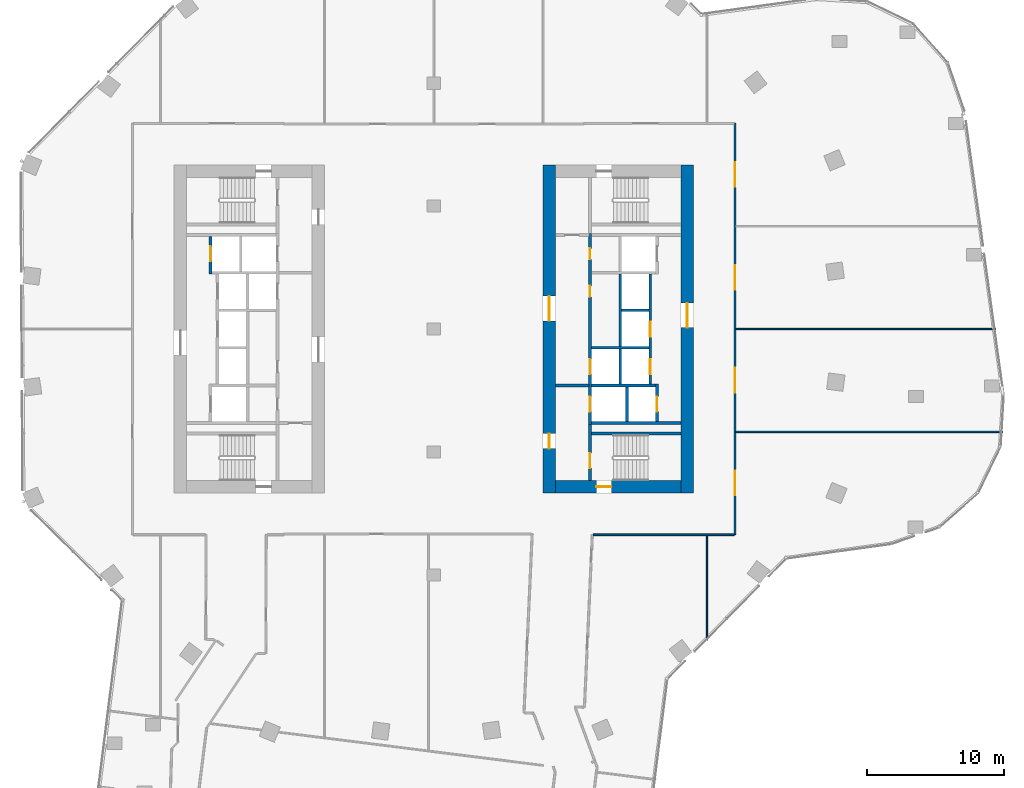
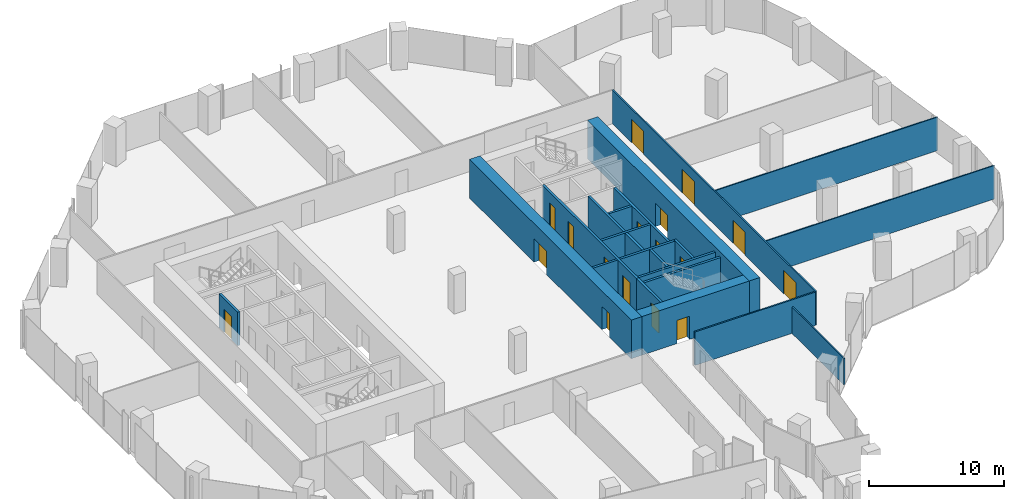
# One storey, part 21 of 27: 22 walls, 17 doors, 17 openings.
"""IFC4 building model written with IfcOpenShell, lengths in metres."""

from ifc_helpers import new_model, si_unit, direction, frame, frame_2d, origin, place, context, subcontext, project, spatial, rectangle, extrude, material, layer, layer_set, type_object, element, fill, save


model = new_model("IFC4")

# Units and contexts
model_context = context("Model", 3, precision=1e-05, world=origin(), true_north=direction((0.0, 1.0)))
body_context = subcontext(model_context, "Body", "Model", "MODEL_VIEW")
ifc_project = project(units=[si_unit("LENGTHUNIT", "METRE"), si_unit("AREAUNIT", "SQUARE_METRE"), si_unit("VOLUMEUNIT", "CUBIC_METRE"), si_unit("PLANEANGLEUNIT", "RADIAN"), si_unit("MASSUNIT", "GRAM", prefix="KILO")], contexts=[model_context])

# Site, building, storey
site_placement = place(None, origin())
site = spatial("IfcSite", under=ifc_project, at=site_placement, CompositionType="ELEMENT")
building_placement = place(site_placement, origin())
building = spatial("IfcBuilding", under=site, at=building_placement, Name="Orlundy Tower", CompositionType="ELEMENT")
storey_placement = place(building_placement, frame((0.0, 0.0, 202.60009765625)))
storey = spatial("IfcBuildingStorey", under=building, at=storey_placement, Name="L53", CompositionType="ELEMENT", Elevation=202.60009765625)

# Wall, opening, door
ifc_material_1 = material(Name="Concrete C70/85", Category="concrete")
ifc_layer_1 = layer(ifc_material_1, 0.89990234375)
ifc_layer_set_1 = layer_set([ifc_layer_1], Name="CORE WALL 900 C70/85")
wall_type_1 = type_object("IfcWallType", Name="CORE WALL 900 C70/85", PredefinedType="SHEAR", material=ifc_layer_set_1)
wall_1_placement = place(storey_placement, frame((8.89990234375, -11.550048828125, 0.0), z_axis=(0.0, 0.0, 1.0), x_axis=(1.0, 0.0, 0.0)))
wall_1 = element("IfcWall", 1, at=wall_1_placement, inside=storey, type_object=wall_type_1, Name="Core wall E-S L53", PredefinedType="SHEAR", context=body_context, shape_type="SweptSolid", body=[
    extrude(rectangle(XDim=9.2001953125, YDim=0.89990234375, at=frame_2d((4.60009765625, 0.0))), origin(), (0.0, 0.0, 1.0), 3.5),
])
opening_1_placement = place(wall_1_placement, frame((3.0, 0.0, 0.0)))
opening_1 = element("IfcOpeningElement", 2, at=opening_1_placement, cuts=wall_1, Name="Opening 40061", PredefinedType="OPENING", context=body_context, shape_type="SweptSolid", body=[
    extrude(rectangle(XDim=1.10009765625, YDim=2.10009765625, at=frame_2d((0.550048828125, 1.050048828125))), frame((0.0, 0.4599609375, 0.0), z_axis=(0.0, -1.0, 0.0), x_axis=(1.0, 0.0, 0.0)), (0.0, 0.0, 1.0), 0.919921875),
])
ifc_material_2 = material(Name="Steel door set", Category="steel")
door_type_1 = type_object("IfcDoorType", Name="Stair Door 1100x2100", OperationType="SINGLE_SWING_LEFT", PredefinedType="DOOR", material=ifc_material_2)
door_1_placement = place(opening_1_placement, origin())
door_1 = element("IfcDoor", 3, at=door_1_placement, inside=storey, type_object=door_type_1, Name="Stair door 40061", OperationType="SINGLE_SWING_LEFT", OverallHeight=2.10009765625, OverallWidth=1.10009765625, PredefinedType="DOOR", context=body_context, shape_type="SweptSolid", body=[
    extrude(rectangle(XDim=1.10009765625, YDim=2.10009765625, at=frame_2d((0.550048828125, 1.050048828125))), frame((0.0, 0.02490234375, 0.0), z_axis=(0.0, -1.0, 0.0), x_axis=(1.0, 0.0, 0.0)), (0.0, 0.0, 1.0), 0.050048828125),
])
fill(opening_1, door_1)

# Wall, openings, doors
wall_2_placement = place(storey_placement, frame((8.449951171875, -12.0, 0.0), z_axis=(0.0, 0.0, 1.0), x_axis=(0.0, 1.0, 0.0)))
wall_2 = element("IfcWall", 4, at=wall_2_placement, inside=storey, type_object=wall_type_1, Name="Core wall E-W L53", PredefinedType="SHEAR", context=body_context, shape_type="SweptSolid", body=[
    extrude(rectangle(XDim=24.0, YDim=0.89990234375, at=frame_2d((12.0, 0.0))), origin(), (0.0, 0.0, 1.0), 3.5),
])
opening_2_placement = place(wall_2_placement, frame((12.60009765625, 0.0, 0.0)))
opening_2 = element("IfcOpeningElement", 5, at=opening_2_placement, cuts=wall_2, Name="Opening 40058", PredefinedType="OPENING", context=body_context, shape_type="SweptSolid", body=[
    extrude(rectangle(XDim=1.800048828125, YDim=2.10009765625, at=frame_2d((0.89990234375, 1.050048828125))), frame((0.0, 0.4599609375, 0.0), z_axis=(0.0, -1.0, 0.0), x_axis=(1.0, 0.0, 0.0)), (0.0, 0.0, 1.0), 0.919921875),
])
opening_3_placement = place(wall_2_placement, frame((3.25, 0.0, 0.0)))
opening_3 = element("IfcOpeningElement", 6, at=opening_3_placement, cuts=wall_2, Name="Opening 40060", PredefinedType="OPENING", context=body_context, shape_type="SweptSolid", body=[
    extrude(rectangle(XDim=1.10009765625, YDim=2.10009765625, at=frame_2d((0.550048828125, 1.050048828125))), frame((0.0, 0.4599609375, 0.0), z_axis=(0.0, -1.0, 0.0), x_axis=(1.0, 0.0, 0.0)), (0.0, 0.0, 1.0), 0.919921875),
])
ifc_material_3 = material(Name="Steel door set", Category="steel")
door_type_2 = type_object("IfcDoorType", Name="Fire-fighting Lobby Door 1100x2100", OperationType="SINGLE_SWING_LEFT", PredefinedType="DOOR", material=ifc_material_3)
door_2_placement = place(opening_3_placement, origin())
door_2 = element("IfcDoor", 7, at=door_2_placement, inside=storey, type_object=door_type_2, Name="Fire-fighting lobby door 40060", OperationType="SINGLE_SWING_LEFT", OverallHeight=2.10009765625, OverallWidth=1.10009765625, PredefinedType="DOOR", context=body_context, shape_type="SweptSolid", body=[
    extrude(rectangle(XDim=1.10009765625, YDim=2.10009765625, at=frame_2d((0.550048828125, 1.050048828125))), frame((0.0, 0.02490234375, 0.0), z_axis=(0.0, -1.0, 0.0), x_axis=(1.0, 0.0, 0.0)), (0.0, 0.0, 1.0), 0.050048828125),
])
fill(opening_3, door_2)
ifc_material_4 = material(Name="Timber door set", Category="wood")
door_type_3 = type_object("IfcDoorType", Name="Lobby Door 1800x2100", OperationType="DOUBLE_DOOR_DOUBLE_SWING", PredefinedType="DOOR", material=ifc_material_4)
door_3_placement = place(opening_2_placement, origin())
door_3 = element("IfcDoor", 8, at=door_3_placement, inside=storey, type_object=door_type_3, Name="Lift lobby door 40058", OperationType="SINGLE_SWING_RIGHT", OverallHeight=2.10009765625, OverallWidth=1.800048828125, PredefinedType="DOOR", context=body_context, shape_type="SweptSolid", body=[
    extrude(rectangle(XDim=1.800048828125, YDim=2.10009765625, at=frame_2d((0.89990234375, 1.050048828125))), frame((0.0, 0.02490234375, 0.0), z_axis=(0.0, -1.0, 0.0), x_axis=(1.0, 0.0, 0.0)), (0.0, 0.0, 1.0), 0.050048828125),
])
fill(opening_2, door_3)

# Wall, opening, door
wall_3_placement = place(storey_placement, frame((18.550048828125, -12.0, 0.0), z_axis=(0.0, 0.0, 1.0), x_axis=(0.0, 1.0, 0.0)))
wall_3 = element("IfcWall", 9, at=wall_3_placement, inside=storey, type_object=wall_type_1, Name="Core wall E-E L53", PredefinedType="SHEAR", context=body_context, shape_type="SweptSolid", body=[
    extrude(rectangle(XDim=24.0, YDim=0.89990234375, at=frame_2d((12.0, 0.0))), origin(), (0.0, 0.0, 1.0), 3.5),
])
opening_4_placement = place(wall_3_placement, frame((12.10009765625, 0.0, 0.0)))
opening_4 = element("IfcOpeningElement", 10, at=opening_4_placement, cuts=wall_3, Name="Opening 40059", PredefinedType="OPENING", context=body_context, shape_type="SweptSolid", body=[
    extrude(rectangle(XDim=1.800048828125, YDim=2.10009765625, at=frame_2d((0.89990234375, 1.050048828125))), frame((0.0, 0.4599609375, 0.0), z_axis=(0.0, -1.0, 0.0), x_axis=(1.0, 0.0, 0.0)), (0.0, 0.0, 1.0), 0.919921875),
])
door_4_placement = place(opening_4_placement, origin())
door_4 = element("IfcDoor", 11, at=door_4_placement, inside=storey, type_object=door_type_3, Name="Lift lobby door 40059", OperationType="SINGLE_SWING_RIGHT", OverallHeight=2.10009765625, OverallWidth=1.800048828125, PredefinedType="DOOR", context=body_context, shape_type="SweptSolid", body=[
    extrude(rectangle(XDim=1.800048828125, YDim=2.10009765625, at=frame_2d((0.89990234375, 1.050048828125))), frame((0.0, 0.02490234375, 0.0), z_axis=(0.0, -1.0, 0.0), x_axis=(1.0, 0.0, 0.0)), (0.0, 0.0, 1.0), 0.050048828125),
])
fill(opening_4, door_4)

# Walls
ifc_material_5 = material(Name="Gypsum board partition")
ifc_layer_2 = layer(ifc_material_5, 0.10009765625)
ifc_layer_set_2 = layer_set([ifc_layer_2], Name="Floor partition 100")
wall_type_2 = type_object("IfcWallType", Name="Floor partition 100", PredefinedType="PARTITIONING", material=ifc_layer_set_2)
wall_4_placement = place(storey_placement, frame((22.113037109375, -7.52392578125, 0.0), z_axis=(0.0, 0.0, 1.0), x_axis=(1.0, 0.0, 0.0)))
element("IfcWall", 12, at=wall_4_placement, inside=storey, type_object=wall_type_2, Name="wall-int-L53-034", PredefinedType="PARTITIONING", context=body_context, shape_type="SweptSolid", body=[
    extrude(rectangle(XDim=19.532958984375, YDim=0.10009765625, at=frame_2d((9.7666015625, 0.0))), origin(), (0.0, 0.0, 1.0), 3.02978515625),
])
wall_5_placement = place(storey_placement, frame((22.113037109375, 0.0, 0.0), z_axis=(0.0, 0.0, 1.0), x_axis=(1.0, 0.0, 0.0)))
element("IfcWall", 13, at=wall_5_placement, inside=storey, type_object=wall_type_2, Name="wall-int-L53-036", PredefinedType="PARTITIONING", context=body_context, shape_type="SweptSolid", body=[
    extrude(rectangle(XDim=19.02099609375, YDim=0.10009765625, at=frame_2d((9.510498046875, 0.0))), origin(), (0.0, 0.0, 1.0), 3.02978515625),
])
ifc_material_6 = material(Name="Gypsum board partition")
ifc_layer_3 = layer(ifc_material_6, 0.10009765625)
ifc_layer_set_3 = layer_set([ifc_layer_3], Name="Floor partition 100 B")
wall_type_3 = type_object("IfcWallType", Name="Floor partition 100 B", PredefinedType="PARTITIONING", material=ifc_layer_set_3)
wall_6_placement = place(storey_placement, frame((20.0, -22.7958984375, 0.0), z_axis=(0.0, 0.0, 1.0), x_axis=(0.0, 1.0, 0.0)))
element("IfcWall", 14, at=wall_6_placement, inside=storey, type_object=wall_type_3, Name="wall-int-L53-065", PredefinedType="PARTITIONING", context=body_context, shape_type="SweptSolid", body=[
    extrude(rectangle(XDim=7.681884765625, YDim=0.10009765625, at=frame_2d((3.8408203125, 0.0))), origin(), (0.0, 0.0, 1.0), 2.39501953125),
])
ifc_material_7 = material(Name="Gypsum board partition, double layer")
ifc_layer_4 = layer(ifc_material_7, 0.125)
ifc_layer_set_4 = layer_set([ifc_layer_4], Name="Floor partition 125")
wall_type_4 = type_object("IfcWallType", Name="Floor partition 125", PredefinedType="PARTITIONING", material=ifc_layer_set_4)
wall_7_placement = place(storey_placement, frame((11.6650390625, -15.051025390625, 0.0), z_axis=(0.0, 0.0, 1.0), x_axis=(1.0, 0.0, 0.0)))
element("IfcWall", 15, at=wall_7_placement, inside=storey, type_object=wall_type_4, Name="wall-int-L53-032", PredefinedType="PARTITIONING", context=body_context, shape_type="SweptSolid", body=[
    extrude(rectangle(XDim=10.322998046875, YDim=0.125, at=frame_2d((5.16162109375, 0.0))), origin(), (0.0, 0.0, 1.0), 3.02978515625),
])

# Wall, openings, doors
wall_8_placement = place(storey_placement, frame((22.051025390625, 15.050048828125, 0.0), z_axis=(0.0, 0.0, 1.0), x_axis=(0.0, -1.0, 0.0)))
wall_8 = element("IfcWall", 16, at=wall_8_placement, inside=storey, type_object=wall_type_4, Name="wall-int-L53-064", PredefinedType="PARTITIONING", context=body_context, shape_type="SweptSolid", body=[
    extrude(rectangle(XDim=30.10009765625, YDim=0.125, at=frame_2d((15.050048828125, 0.0))), origin(), (0.0, 0.0, 1.0), 3.02978515625),
])
opening_5_placement = place(wall_8_placement, frame((25.424072265625, 0.0, 0.0)))
opening_5 = element("IfcOpeningElement", 17, at=opening_5_placement, cuts=wall_8, Name="Opening 40118", PredefinedType="OPENING", context=body_context, shape_type="SweptSolid", body=[
    extrude(rectangle(XDim=1.800048828125, YDim=2.10009765625, at=frame_2d((0.89990234375, 1.050048828125))), frame((0.0, 0.072509765625, 0.0), z_axis=(0.0, -1.0, 0.0), x_axis=(1.0, 0.0, 0.0)), (0.0, 0.0, 1.0), 0.14501953125),
])
opening_6_placement = place(wall_8_placement, frame((17.89990234375, 0.0, 0.0)))
opening_6 = element("IfcOpeningElement", 18, at=opening_6_placement, cuts=wall_8, Name="Opening 40119", PredefinedType="OPENING", context=body_context, shape_type="SweptSolid", body=[
    extrude(rectangle(XDim=1.800048828125, YDim=2.10009765625, at=frame_2d((0.89990234375, 1.050048828125))), frame((0.0, 0.072509765625, 0.0), z_axis=(0.0, -1.0, 0.0), x_axis=(1.0, 0.0, 0.0)), (0.0, 0.0, 1.0), 0.14501953125),
])
opening_7_placement = place(wall_8_placement, frame((10.3759765625, 0.0, 0.0)))
opening_7 = element("IfcOpeningElement", 19, at=opening_7_placement, cuts=wall_8, Name="Opening 40120", PredefinedType="OPENING", context=body_context, shape_type="SweptSolid", body=[
    extrude(rectangle(XDim=1.800048828125, YDim=2.10009765625, at=frame_2d((0.89990234375, 1.050048828125))), frame((0.0, 0.072509765625, 0.0), z_axis=(0.0, -1.0, 0.0), x_axis=(1.0, 0.0, 0.0)), (0.0, 0.0, 1.0), 0.14501953125),
])
opening_8_placement = place(wall_8_placement, frame((2.85009765625, 0.0, 0.0)))
opening_8 = element("IfcOpeningElement", 20, at=opening_8_placement, cuts=wall_8, Name="Opening 40121", PredefinedType="OPENING", context=body_context, shape_type="SweptSolid", body=[
    extrude(rectangle(XDim=1.800048828125, YDim=2.10009765625, at=frame_2d((0.89990234375, 1.050048828125))), frame((0.0, 0.072509765625, 0.0), z_axis=(0.0, -1.0, 0.0), x_axis=(1.0, 0.0, 0.0)), (0.0, 0.0, 1.0), 0.14501953125),
])
ifc_material_8 = material(Name="Timber door leaf", Category="wood")
door_type_4 = type_object("IfcDoorType", Name="Floor door double 1800 FD30S", OperationType="NOTDEFINED", PredefinedType="DOOR", material=ifc_material_8)
door_5_placement = place(opening_5_placement, origin())
door_5 = element("IfcDoor", 21, at=door_5_placement, inside=storey, type_object=door_type_4, Name="Door 40118", OperationType="DOUBLE_DOOR_SINGLE_SWING", OverallHeight=2.10009765625, OverallWidth=1.800048828125, PredefinedType="DOOR", context=body_context, shape_type="SweptSolid", body=[
    extrude(rectangle(XDim=1.800048828125, YDim=2.10009765625, at=frame_2d((0.89990234375, 1.050048828125))), frame((0.0, 0.02490234375, 0.0), z_axis=(0.0, -1.0, 0.0), x_axis=(1.0, 0.0, 0.0)), (0.0, 0.0, 1.0), 0.050048828125),
])
fill(opening_5, door_5)
door_6_placement = place(opening_6_placement, origin())
door_6 = element("IfcDoor", 22, at=door_6_placement, inside=storey, type_object=door_type_4, Name="Door 40119", OperationType="DOUBLE_DOOR_SINGLE_SWING", OverallHeight=2.10009765625, OverallWidth=1.800048828125, PredefinedType="DOOR", context=body_context, shape_type="SweptSolid", body=[
    extrude(rectangle(XDim=1.800048828125, YDim=2.10009765625, at=frame_2d((0.89990234375, 1.050048828125))), frame((0.0, 0.02490234375, 0.0), z_axis=(0.0, -1.0, 0.0), x_axis=(1.0, 0.0, 0.0)), (0.0, 0.0, 1.0), 0.050048828125),
])
fill(opening_6, door_6)
door_7_placement = place(opening_7_placement, origin())
door_7 = element("IfcDoor", 23, at=door_7_placement, inside=storey, type_object=door_type_4, Name="Door 40120", OperationType="DOUBLE_DOOR_SINGLE_SWING", OverallHeight=2.10009765625, OverallWidth=1.800048828125, PredefinedType="DOOR", context=body_context, shape_type="SweptSolid", body=[
    extrude(rectangle(XDim=1.800048828125, YDim=2.10009765625, at=frame_2d((0.89990234375, 1.050048828125))), frame((0.0, 0.02490234375, 0.0), z_axis=(0.0, -1.0, 0.0), x_axis=(1.0, 0.0, 0.0)), (0.0, 0.0, 1.0), 0.050048828125),
])
fill(opening_7, door_7)
door_8_placement = place(opening_8_placement, origin())
door_8 = element("IfcDoor", 24, at=door_8_placement, inside=storey, type_object=door_type_4, Name="Door 40121", OperationType="DOUBLE_DOOR_SINGLE_SWING", OverallHeight=2.10009765625, OverallWidth=1.800048828125, PredefinedType="DOOR", context=body_context, shape_type="SweptSolid", body=[
    extrude(rectangle(XDim=1.800048828125, YDim=2.10009765625, at=frame_2d((0.89990234375, 1.050048828125))), frame((0.0, 0.02490234375, 0.0), z_axis=(0.0, -1.0, 0.0), x_axis=(1.0, 0.0, 0.0)), (0.0, 0.0, 1.0), 0.050048828125),
])
fill(opening_8, door_8)

# Wall
ifc_material_9 = material(Name="Concrete C40/50", Category="concrete")
ifc_layer_5 = layer(ifc_material_9, 0.199951171875)
ifc_layer_set_5 = layer_set([ifc_layer_5], Name="Load-bearing Shaft Wall 200")
wall_type_5 = type_object("IfcWallType", Name="Load-bearing Shaft Wall 200", PredefinedType="SOLIDWALL", material=ifc_layer_set_5)
wall_9_placement = place(storey_placement, frame((13.739990234375, 1.375, 0.0), z_axis=(0.0, 0.0, 1.0), x_axis=(1.0, 0.0, 0.0)))
element("IfcWall", 25, at=wall_9_placement, inside=storey, type_object=wall_type_5, Name="Shaft wall E40-cross-1.375", PredefinedType="SOLIDWALL", context=body_context, shape_type="SweptSolid", body=[
    extrude(rectangle(XDim=2.0, YDim=0.199951171875, at=frame_2d((1.0, 0.0))), origin(), (0.0, 0.0, 1.0), 3.0498046875),
])

# Wall, openings, doors
wall_10_placement = place(storey_placement, frame((11.43994140625, 6.97509765625, 0.0), z_axis=(0.0, 0.0, 1.0), x_axis=(0.0, -1.0, 0.0)))
wall_10 = element("IfcWall", 26, at=wall_10_placement, inside=storey, type_object=wall_type_5, Name="Shaft wall E40-front-h", PredefinedType="SOLIDWALL", context=body_context, shape_type="SweptSolid", body=[
    extrude(rectangle(XDim=13.9501953125, YDim=0.199951171875, at=frame_2d((6.97509765625, 0.0))), origin(), (0.0, 0.0, 1.0), 3.0498046875),
])
opening_9_placement = place(wall_10_placement, frame((9.175048828125, 0.0, 0.0)))
opening_9 = element("IfcOpeningElement", 27, at=opening_9_placement, cuts=wall_10, Name="Opening 40052", PredefinedType="OPENING", context=body_context, shape_type="SweptSolid", body=[
    extrude(rectangle(XDim=1.10009765625, YDim=2.10009765625, at=frame_2d((0.550048828125, 1.050048828125))), frame((0.0, 0.110107421875, 0.0), z_axis=(0.0, -1.0, 0.0), x_axis=(1.0, 0.0, 0.0)), (0.0, 0.0, 1.0), 0.22021484375),
])
opening_10_placement = place(wall_10_placement, frame((11.925048828125, 0.0, 0.0)))
opening_10 = element("IfcOpeningElement", 28, at=opening_10_placement, cuts=wall_10, Name="Opening 40054", PredefinedType="OPENING", context=body_context, shape_type="SweptSolid", body=[
    extrude(rectangle(XDim=1.10009765625, YDim=2.10009765625, at=frame_2d((0.550048828125, 1.050048828125))), frame((0.0, 0.110107421875, 0.0), z_axis=(0.0, -1.0, 0.0), x_axis=(1.0, 0.0, 0.0)), (0.0, 0.0, 1.0), 0.22021484375),
])
opening_11_placement = place(wall_10_placement, frame((1.074951171875, 0.0, 0.0)))
opening_11 = element("IfcOpeningElement", 29, at=opening_11_placement, cuts=wall_10, Name="Opening 40056", PredefinedType="OPENING", context=body_context, shape_type="SweptSolid", body=[
    extrude(rectangle(XDim=0.800048828125, YDim=2.10009765625, at=frame_2d((0.39990234375, 1.050048828125))), frame((0.0, 0.110107421875, 0.0), z_axis=(0.0, -1.0, 0.0), x_axis=(1.0, 0.0, 0.0)), (0.0, 0.0, 1.0), 0.22021484375),
])
opening_12_placement = place(wall_10_placement, frame((3.824951171875, 0.0, 0.0)))
opening_12 = element("IfcOpeningElement", 30, at=opening_12_placement, cuts=wall_10, Name="Opening 40057", PredefinedType="OPENING", context=body_context, shape_type="SweptSolid", body=[
    extrude(rectangle(XDim=0.800048828125, YDim=2.10009765625, at=frame_2d((0.39990234375, 1.050048828125))), frame((0.0, 0.110107421875, 0.0), z_axis=(0.0, -1.0, 0.0), x_axis=(1.0, 0.0, 0.0)), (0.0, 0.0, 1.0), 0.22021484375),
])
ifc_material_10 = material(Name="Steel door set", Category="steel")
door_type_5 = type_object("IfcDoorType", Name="Landing Door 1100x2100", OperationType="DOUBLE_DOOR_SLIDING", PredefinedType="DOOR", material=ifc_material_10)
door_9_placement = place(opening_9_placement, origin())
door_9 = element("IfcDoor", 31, at=door_9_placement, inside=storey, type_object=door_type_5, Name="Lift landing door LP-16 40052", OperationType="DOUBLE_DOOR_SLIDING", OverallHeight=2.10009765625, OverallWidth=1.10009765625, PredefinedType="DOOR", context=body_context, shape_type="SweptSolid", body=[
    extrude(rectangle(XDim=1.10009765625, YDim=2.10009765625, at=frame_2d((0.550048828125, 1.050048828125))), frame((0.0, 0.02490234375, 0.0), z_axis=(0.0, -1.0, 0.0), x_axis=(1.0, 0.0, 0.0)), (0.0, 0.0, 1.0), 0.050048828125),
])
fill(opening_9, door_9)
door_10_placement = place(opening_10_placement, origin())
door_10 = element("IfcDoor", 32, at=door_10_placement, inside=storey, type_object=door_type_5, Name="Lift landing door FL2 40054", OperationType="DOUBLE_DOOR_SLIDING", OverallHeight=2.10009765625, OverallWidth=1.10009765625, PredefinedType="DOOR", context=body_context, shape_type="SweptSolid", body=[
    extrude(rectangle(XDim=1.10009765625, YDim=2.10009765625, at=frame_2d((0.550048828125, 1.050048828125))), frame((0.0, 0.02490234375, 0.0), z_axis=(0.0, -1.0, 0.0), x_axis=(1.0, 0.0, 0.0)), (0.0, 0.0, 1.0), 0.050048828125),
])
fill(opening_10, door_10)
ifc_material_11 = material(Name="Timber door set", Category="wood")
door_type_6 = type_object("IfcDoorType", Name="Riser Door 800x2100", OperationType="SINGLE_SWING_LEFT", PredefinedType="DOOR", material=ifc_material_11)
door_11_placement = place(opening_11_placement, origin())
door_11 = element("IfcDoor", 33, at=door_11_placement, inside=storey, type_object=door_type_6, Name="Pantry Store door 40056", OperationType="SINGLE_SWING_LEFT", OverallHeight=2.10009765625, OverallWidth=0.800048828125, PredefinedType="DOOR", context=body_context, shape_type="SweptSolid", body=[
    extrude(rectangle(XDim=0.800048828125, YDim=2.10009765625, at=frame_2d((0.39990234375, 1.050048828125))), frame((0.0, 0.02490234375, 0.0), z_axis=(0.0, -1.0, 0.0), x_axis=(1.0, 0.0, 0.0)), (0.0, 0.0, 1.0), 0.050048828125),
])
fill(opening_11, door_11)
door_12_placement = place(opening_12_placement, origin())
door_12 = element("IfcDoor", 34, at=door_12_placement, inside=storey, type_object=door_type_6, Name="AV Store door 40057", OperationType="SINGLE_SWING_LEFT", OverallHeight=2.10009765625, OverallWidth=0.800048828125, PredefinedType="DOOR", context=body_context, shape_type="SweptSolid", body=[
    extrude(rectangle(XDim=0.800048828125, YDim=2.10009765625, at=frame_2d((0.39990234375, 1.050048828125))), frame((0.0, 0.02490234375, 0.0), z_axis=(0.0, -1.0, 0.0), x_axis=(1.0, 0.0, 0.0)), (0.0, 0.0, 1.0), 0.050048828125),
])
fill(opening_12, door_12)

# Wall
wall_11_placement = place(storey_placement, frame((13.639892578125, 4.02490234375, 0.0), z_axis=(0.0, 0.0, 1.0), x_axis=(0.0, -1.0, 0.0)))
element("IfcWall", 35, at=wall_11_placement, inside=storey, type_object=wall_type_5, Name="Shaft wall E40-mid-a.1", PredefinedType="SOLIDWALL", context=body_context, shape_type="SweptSolid", body=[
    extrude(rectangle(XDim=5.2998046875, YDim=0.199951171875, at=frame_2d((2.64990234375, 0.0))), origin(), (0.0, 0.0, 1.0), 3.0498046875),
])

# Wall, opening, door
wall_12_placement = place(storey_placement, frame((11.43994140625, -6.97509765625, 0.0), z_axis=(0.0, 0.0, 1.0), x_axis=(0.0, -1.0, 0.0)))
wall_12 = element("IfcWall", 36, at=wall_12_placement, inside=storey, type_object=wall_type_5, Name="Shaft wall E40-stair-end-n", PredefinedType="SOLIDWALL", context=body_context, shape_type="SweptSolid", body=[
    extrude(rectangle(XDim=4.125, YDim=0.199951171875, at=frame_2d((2.0625, 0.0))), origin(), (0.0, 0.0, 1.0), 3.0498046875),
])
opening_13_placement = place(wall_12_placement, frame((2.10009765625, 0.0, 0.0)))
opening_13 = element("IfcOpeningElement", 37, at=opening_13_placement, cuts=wall_12, Name="Opening 40063", PredefinedType="OPENING", context=body_context, shape_type="SweptSolid", body=[
    extrude(rectangle(XDim=1.10009765625, YDim=2.10009765625, at=frame_2d((0.550048828125, 1.050048828125))), frame((0.0, 0.110107421875, 0.0), z_axis=(0.0, -1.0, 0.0), x_axis=(1.0, 0.0, 0.0)), (0.0, 0.0, 1.0), 0.22021484375),
])
door_13_placement = place(opening_13_placement, origin())
door_13 = element("IfcDoor", 38, at=door_13_placement, inside=storey, type_object=door_type_2, Name="Fire-fighting lobby to stair door 40063", OperationType="SINGLE_SWING_RIGHT", OverallHeight=2.10009765625, OverallWidth=1.10009765625, PredefinedType="DOOR", context=body_context, shape_type="SweptSolid", body=[
    extrude(rectangle(XDim=1.10009765625, YDim=2.10009765625, at=frame_2d((0.550048828125, 1.050048828125))), frame((0.0, 0.02490234375, 0.0), z_axis=(0.0, -1.0, 0.0), x_axis=(1.0, 0.0, 0.0)), (0.0, 0.0, 1.0), 0.050048828125),
])
fill(opening_13, door_13)

# Walls
wall_13_placement = place(storey_placement, frame((11.5400390625, -7.64990234375, 0.0), z_axis=(0.0, 0.0, 1.0), x_axis=(1.0, 0.0, 0.0)))
element("IfcWall", 39, at=wall_13_placement, inside=storey, type_object=wall_type_5, Name="Shaft wall E40-stair-side-n", PredefinedType="SOLIDWALL", context=body_context, shape_type="SweptSolid", body=[
    extrude(rectangle(XDim=6.56005859375, YDim=0.199951171875, at=frame_2d((3.280029296875, 0.0))), origin(), (0.0, 0.0, 1.0), 3.0498046875),
])
ifc_material_12 = material(Name="Gypsum board partition on steel studs", Category="steel")
ifc_layer_6 = layer(ifc_material_12, 0.199951171875)
ifc_layer_set_6 = layer_set([ifc_layer_6], Name="Partition 200")
wall_type_6 = type_object("IfcWallType", Name="Partition 200", PredefinedType="PARTITIONING", material=ifc_layer_set_6)
wall_14_placement = place(storey_placement, frame((8.89990234375, -4.125, 0.0), z_axis=(0.0, 0.0, 1.0), x_axis=(1.0, 0.0, 0.0)))
element("IfcWall", 40, at=wall_14_placement, inside=storey, type_object=wall_type_6, Name="Partition wall E40-lobby-n", PredefinedType="PARTITIONING", context=body_context, shape_type="SweptSolid", body=[
    extrude(rectangle(XDim=2.440185546875, YDim=0.199951171875, at=frame_2d((1.22021484375, 0.0))), origin(), (0.0, 0.0, 1.0), 3.0498046875),
])

# Wall, opening, door
ifc_material_13 = material(Name="Fire-rated blockwork shaft wall", Category="masonry")
ifc_layer_7 = layer(ifc_material_13, 0.199951171875)
ifc_layer_set_7 = layer_set([ifc_layer_7], Name="Shaft Wall 200")
wall_type_7 = type_object("IfcWallType", Name="Shaft Wall 200", PredefinedType="SOLIDWALL", material=ifc_layer_set_7)
wall_15_placement = place(storey_placement, frame((-16.340087890625, 4.02490234375, 0.0), z_axis=(0.0, 0.0, 1.0), x_axis=(0.0, 1.0, 0.0)))
wall_15 = element("IfcWall", 41, at=wall_15_placement, inside=storey, type_object=wall_type_7, Name="Shaft wall W40-front-o-c", PredefinedType="SOLIDWALL", context=body_context, shape_type="SweptSolid", body=[
    extrude(rectangle(XDim=2.75, YDim=0.199951171875, at=frame_2d((1.375, 0.0))), origin(), (0.0, 0.0, 1.0), 3.0498046875),
])
opening_14_placement = place(wall_15_placement, frame((0.925048828125, 0.0, 0.0)))
opening_14 = element("IfcOpeningElement", 42, at=opening_14_placement, cuts=wall_15, Name="Opening 40006", PredefinedType="OPENING", context=body_context, shape_type="SweptSolid", body=[
    extrude(rectangle(XDim=1.10009765625, YDim=2.10009765625, at=frame_2d((0.550048828125, 1.050048828125))), frame((0.0, 0.110107421875, 0.0), z_axis=(0.0, -1.0, 0.0), x_axis=(1.0, 0.0, 0.0)), (0.0, 0.0, 1.0), 0.22021484375),
])
door_14_placement = place(opening_14_placement, origin())
door_14 = element("IfcDoor", 43, at=door_14_placement, inside=storey, type_object=door_type_5, Name="Lift landing door LP-14 40006", OperationType="DOUBLE_DOOR_SLIDING", OverallHeight=2.10009765625, OverallWidth=1.10009765625, PredefinedType="DOOR", context=body_context, shape_type="SweptSolid", body=[
    extrude(rectangle(XDim=1.10009765625, YDim=2.10009765625, at=frame_2d((0.550048828125, 1.050048828125))), frame((0.0, 0.02490234375, 0.0), z_axis=(0.0, -1.0, 0.0), x_axis=(1.0, 0.0, 0.0)), (0.0, 0.0, 1.0), 0.050048828125),
])
fill(opening_14, door_14)

# Walls
wall_16_placement = place(storey_placement, frame((11.5400390625, -6.875, 0.0), z_axis=(0.0, 0.0, 1.0), x_axis=(1.0, 0.0, 0.0)))
element("IfcWall", 44, at=wall_16_placement, inside=storey, type_object=wall_type_7, Name="Shaft wall E40-zone-n", PredefinedType="SOLIDWALL", context=body_context, shape_type="SweptSolid", body=[
    extrude(rectangle(XDim=6.56005859375, YDim=0.199951171875, at=frame_2d((3.280029296875, 0.0))), origin(), (0.0, 0.0, 1.0), 3.0498046875),
])
wall_17_placement = place(storey_placement, frame((11.5400390625, -1.375, 0.0), z_axis=(0.0, 0.0, 1.0), x_axis=(1.0, 0.0, 0.0)))
element("IfcWall", 45, at=wall_17_placement, inside=storey, type_object=wall_type_7, Name="Shaft wall E40-cross+1.375", PredefinedType="SOLIDWALL", context=body_context, shape_type="SweptSolid", body=[
    extrude(rectangle(XDim=4.199951171875, YDim=0.199951171875, at=frame_2d((2.10009765625, 0.0))), origin(), (0.0, 0.0, 1.0), 3.0498046875),
])
wall_18_placement = place(storey_placement, frame((11.5400390625, -4.125, 0.0), z_axis=(0.0, 0.0, 1.0), x_axis=(1.0, 0.0, 0.0)))
element("IfcWall", 46, at=wall_18_placement, inside=storey, type_object=wall_type_7, Name="Shaft wall E40-cross+4.125", PredefinedType="SOLIDWALL", context=body_context, shape_type="SweptSolid", body=[
    extrude(rectangle(XDim=4.699951171875, YDim=0.199951171875, at=frame_2d((2.35009765625, 0.0))), origin(), (0.0, 0.0, 1.0), 3.0498046875),
])
for number, where, z_axis, x_axis, name in (
    (47, (13.639892578125, -1.47509765625, 0.0), (0.0, 0.0, 1.0), (0.0, -1.0, 0.0), "Shaft wall E40-mid-a.2"),
    (48, (14.139892578125, -4.22509765625, 0.0), (0.0, 0.0, 1.0), (0.0, -1.0, 0.0), "Shaft wall E40-mid-b"),
):
    element("IfcWall", number, at=place(storey_placement, frame(where, z_axis=z_axis, x_axis=x_axis)), inside=storey, type_object=wall_type_7, Name=name, PredefinedType="SOLIDWALL", context=body_context, shape_type="SweptSolid", body=[
        extrude(rectangle(XDim=2.5498046875, YDim=0.199951171875, at=frame_2d((1.27490234375, 0.0))), origin(), (0.0, 0.0, 1.0), 3.0498046875),
    ])

# Wall, openings, doors
wall_19_placement = place(storey_placement, frame((15.840087890625, 4.02490234375, 0.0), z_axis=(0.0, 0.0, 1.0), x_axis=(0.0, -1.0, 0.0)))
wall_19 = element("IfcWall", 49, at=wall_19_placement, inside=storey, type_object=wall_type_7, Name="Shaft wall E40-front-o-b", PredefinedType="SOLIDWALL", context=body_context, shape_type="SweptSolid", body=[
    extrude(rectangle(XDim=8.0498046875, YDim=0.199951171875, at=frame_2d((4.02490234375, 0.0))), origin(), (0.0, 0.0, 1.0), 3.0498046875),
])
opening_15_placement = place(wall_19_placement, frame((3.47509765625, 0.0, 0.0)))
opening_15 = element("IfcOpeningElement", 50, at=opening_15_placement, cuts=wall_19, Name="Opening 40051", PredefinedType="OPENING", context=body_context, shape_type="SweptSolid", body=[
    extrude(rectangle(XDim=1.10009765625, YDim=2.10009765625, at=frame_2d((0.550048828125, 1.050048828125))), frame((0.0, 0.110107421875, 0.0), z_axis=(0.0, -1.0, 0.0), x_axis=(1.0, 0.0, 0.0)), (0.0, 0.0, 1.0), 0.22021484375),
])
opening_16_placement = place(wall_19_placement, frame((6.22509765625, 0.0, 0.0)))
opening_16 = element("IfcOpeningElement", 51, at=opening_16_placement, cuts=wall_19, Name="Opening 40053", PredefinedType="OPENING", context=body_context, shape_type="SweptSolid", body=[
    extrude(rectangle(XDim=1.10009765625, YDim=2.10009765625, at=frame_2d((0.550048828125, 1.050048828125))), frame((0.0, 0.110107421875, 0.0), z_axis=(0.0, -1.0, 0.0), x_axis=(1.0, 0.0, 0.0)), (0.0, 0.0, 1.0), 0.22021484375),
])
door_15_placement = place(opening_15_placement, origin())
door_15 = element("IfcDoor", 52, at=door_15_placement, inside=storey, type_object=door_type_5, Name="Lift landing door LP-15 40051", OperationType="DOUBLE_DOOR_SLIDING", OverallHeight=2.10009765625, OverallWidth=1.10009765625, PredefinedType="DOOR", context=body_context, shape_type="SweptSolid", body=[
    extrude(rectangle(XDim=1.10009765625, YDim=2.10009765625, at=frame_2d((0.550048828125, 1.050048828125))), frame((0.0, 0.02490234375, 0.0), z_axis=(0.0, -1.0, 0.0), x_axis=(1.0, 0.0, 0.0)), (0.0, 0.0, 1.0), 0.050048828125),
])
fill(opening_15, door_15)
door_16_placement = place(opening_16_placement, origin())
door_16 = element("IfcDoor", 53, at=door_16_placement, inside=storey, type_object=door_type_5, Name="Lift landing door LP-17 40053", OperationType="DOUBLE_DOOR_SLIDING", OverallHeight=2.10009765625, OverallWidth=1.10009765625, PredefinedType="DOOR", context=body_context, shape_type="SweptSolid", body=[
    extrude(rectangle(XDim=1.10009765625, YDim=2.10009765625, at=frame_2d((0.550048828125, 1.050048828125))), frame((0.0, 0.02490234375, 0.0), z_axis=(0.0, -1.0, 0.0), x_axis=(1.0, 0.0, 0.0)), (0.0, 0.0, 1.0), 0.050048828125),
])
fill(opening_16, door_16)

# Wall, opening, door
wall_20_placement = place(storey_placement, frame((16.340087890625, -4.02490234375, 0.0), z_axis=(0.0, 0.0, 1.0), x_axis=(0.0, -1.0, 0.0)))
wall_20 = element("IfcWall", 54, at=wall_20_placement, inside=storey, type_object=wall_type_7, Name="Shaft wall E40-front-o-c", PredefinedType="SOLIDWALL", context=body_context, shape_type="SweptSolid", body=[
    extrude(rectangle(XDim=2.75, YDim=0.199951171875, at=frame_2d((1.375, 0.0))), origin(), (0.0, 0.0, 1.0), 3.0498046875),
])
opening_17_placement = place(wall_20_placement, frame((0.925048828125, 0.0, 0.0)))
opening_17 = element("IfcOpeningElement", 55, at=opening_17_placement, cuts=wall_20, Name="Opening 40055", PredefinedType="OPENING", context=body_context, shape_type="SweptSolid", body=[
    extrude(rectangle(XDim=1.10009765625, YDim=2.10009765625, at=frame_2d((0.550048828125, 1.050048828125))), frame((0.0, 0.110107421875, 0.0), z_axis=(0.0, -1.0, 0.0), x_axis=(1.0, 0.0, 0.0)), (0.0, 0.0, 1.0), 0.22021484375),
])
door_17_placement = place(opening_17_placement, origin())
door_17 = element("IfcDoor", 56, at=door_17_placement, inside=storey, type_object=door_type_5, Name="Lift landing door LP-18 40055", OperationType="DOUBLE_DOOR_SLIDING", OverallHeight=2.10009765625, OverallWidth=1.10009765625, PredefinedType="DOOR", context=body_context, shape_type="SweptSolid", body=[
    extrude(rectangle(XDim=1.10009765625, YDim=2.10009765625, at=frame_2d((0.550048828125, 1.050048828125))), frame((0.0, 0.02490234375, 0.0), z_axis=(0.0, -1.0, 0.0), x_axis=(1.0, 0.0, 0.0)), (0.0, 0.0, 1.0), 0.050048828125),
])
fill(opening_17, door_17)

save(model, "model.ifc")
